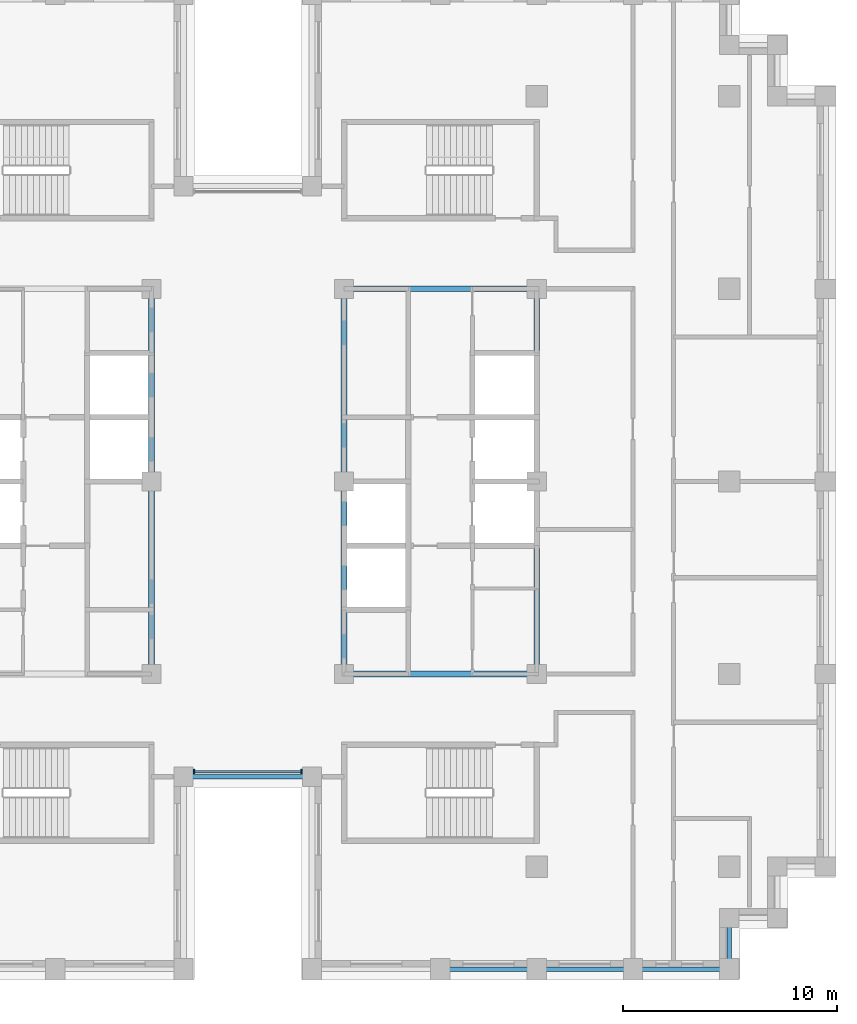
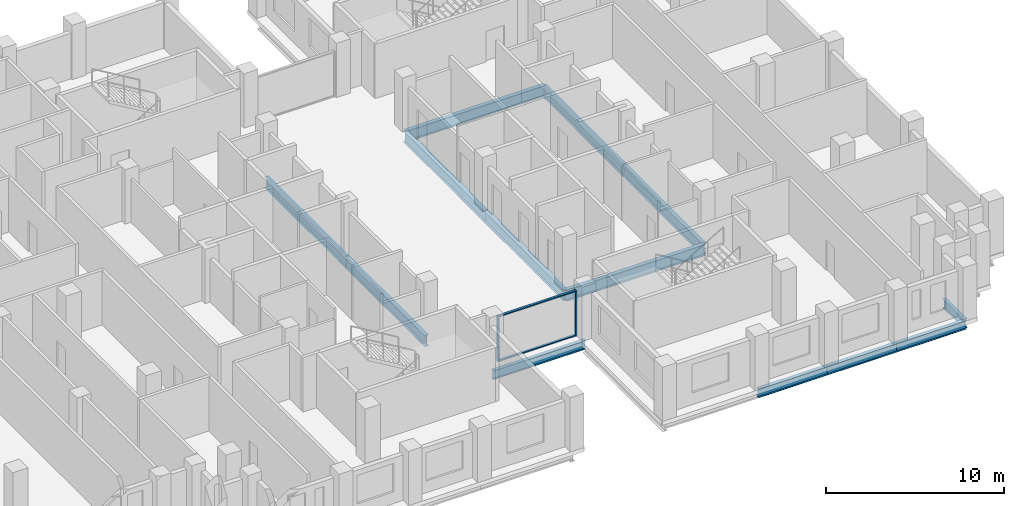
# One storey, part 2 of 15: 13 beams, 4 members, 1 element without a shape of its own.
"""IFC4 building model written with IfcOpenShell, lengths in metres."""

from ifc_helpers import new_model, si_unit, direction, frame, origin, origin_2d, place, context, subcontext, project, spatial, rectangle, i_section, extrude, material, layer, layer_set, material_profile, profile_set, type_object, element, aggregate, save


model = new_model("IFC4")

# Units and contexts
model_context = context("Model", 3, precision=1e-05, world=origin(), true_north=direction((0.0, 1.0)))
body_context = subcontext(model_context, "Body", "Model", "MODEL_VIEW")
ifc_project = project(units=[si_unit("LENGTHUNIT", "METRE"), si_unit("AREAUNIT", "SQUARE_METRE"), si_unit("VOLUMEUNIT", "CUBIC_METRE"), si_unit("PLANEANGLEUNIT", "RADIAN"), si_unit("MASSUNIT", "GRAM", prefix="KILO")], contexts=[model_context])

# Site, building, storey
site_placement = place(None, origin())
site = spatial("IfcSite", under=ifc_project, at=site_placement, CompositionType="ELEMENT")
building_placement = place(site_placement, origin())
building = spatial("IfcBuilding", under=site, at=building_placement, Name="Corbelhall Arena Tower", CompositionType="ELEMENT")
storey_placement = place(building_placement, frame((0.0, 0.0, 200.0)))
storey = spatial("IfcBuildingStorey", under=building, at=storey_placement, Name="L41", CompositionType="ELEMENT", Elevation=200.0)

# Curtain wall, members
ifc_material_1 = material(Name="Aluminium black anodised", Category="aluminium")
ifc_layer = layer(ifc_material_1, 0.199951171875)
ifc_layer_set = layer_set([ifc_layer], Name="EV-CW1 Slot back wall")
curtain_wall_type = type_object("IfcCurtainWallType", Name="EV-CW1 Slot back wall", PredefinedType="NOTDEFINED", material=ifc_layer_set)
curtain_wall_placement = place(storey_placement, origin())
curtain_wall = element("IfcCurtainWall", 1, at=curtain_wall_placement, inside=storey, type_object=curtain_wall_type, Name="Curtain wall CW1", PredefinedType="NOTDEFINED")
ifc_material_profile_1 = material_profile(ifc_material_1, rectangle(XDim=0.199951171875, YDim=0.074951171875, at=origin_2d()))
ifc_profile_set_1 = profile_set([ifc_material_profile_1], Name="Aluminium black anodised")
member_type_1 = type_object("IfcMemberType", Name="EV-CW1-MULLION", PredefinedType="MULLION", material=ifc_profile_set_1)
member_1_placement = place(storey_placement, frame((-2.512451171875, -13.550048828125, 0.0), z_axis=(0.0, 0.0, 1.0), x_axis=(0.0, 1.0, 0.0)))
member_1 = element("IfcMember", 2, at=member_1_placement, type_object=member_type_1, Name="CW1 mullion 1", PredefinedType="MULLION", context=body_context, shape_type="SweptSolid", body=[
    extrude(rectangle(XDim=0.199951171875, YDim=0.074951171875, at=origin_2d()), origin(), (0.0, 0.0, 1.0), 3.1201171875),
])
member_2_placement = place(storey_placement, frame((2.512451171875, -13.550048828125, 0.0), z_axis=(0.0, 0.0, 1.0), x_axis=(0.0, 1.0, 0.0)))
member_2 = element("IfcMember", 3, at=member_2_placement, type_object=member_type_1, Name="CW1 mullion 2", PredefinedType="MULLION", context=body_context, shape_type="SweptSolid", body=[
    extrude(rectangle(XDim=0.199951171875, YDim=0.074951171875, at=origin_2d()), origin(), (0.0, 0.0, 1.0), 3.1201171875),
])
ifc_material_profile_2 = material_profile(ifc_material_1, rectangle(XDim=0.14990234375, YDim=0.074951171875, at=origin_2d()))
ifc_profile_set_2 = profile_set([ifc_material_profile_2], Name="Aluminium black anodised")
member_type_2 = type_object("IfcMemberType", Name="EV-CW1-TRANSOM", PredefinedType="USERDEFINED", material=ifc_profile_set_2)
member_3_placement = place(storey_placement, frame((-2.47509765625, -13.550048828125, 0.03759765625), z_axis=(1.0, 0.0, 0.0), x_axis=(0.0, 1.0, 0.0)))
member_3 = element("IfcMember", 4, at=member_3_placement, type_object=member_type_2, Name="CW1 transom 1.1", ObjectType="transom", PredefinedType="USERDEFINED", context=body_context, shape_type="SweptSolid", body=[
    extrude(rectangle(XDim=0.14990234375, YDim=0.074951171875, at=origin_2d()), origin(), (0.0, 0.0, 1.0), 4.9501953125),
])
member_4_placement = place(storey_placement, frame((-2.47509765625, -13.550048828125, 3.08251953125), z_axis=(1.0, 0.0, 0.0), x_axis=(0.0, 1.0, 0.0)))
member_4 = element("IfcMember", 5, at=member_4_placement, type_object=member_type_2, Name="CW1 transom 1.2", ObjectType="transom", PredefinedType="USERDEFINED", context=body_context, shape_type="SweptSolid", body=[
    extrude(rectangle(XDim=0.14990234375, YDim=0.074951171875, at=origin_2d()), origin(), (0.0, 0.0, 1.0), 4.9501953125),
])
aggregate(curtain_wall, [member_1, member_2, member_3, member_4])

# Beams
ifc_material_2 = material(Name="Steel ASTM A992 Gr50", Category="steel")
ifc_material_profile_3 = material_profile(ifc_material_2, i_section(OverallWidth=0.2666015625, OverallDepth=0.761962890625, WebThickness=0.014404296875, FlangeThickness=0.021484375, at=origin_2d()))
ifc_profile_set_3 = profile_set([ifc_material_profile_3], Name="Steel ASTM A992 Gr50")
beam_type_1 = type_object("IfcBeamType", Name="ST-BEAM-W30x116", PredefinedType="BEAM", material=ifc_profile_set_3)
for number, where, z_axis, x_axis, name in (
    (6, (-4.5, -9.0, -0.660888671875), (0.0, 1.0, 0.0), (-1.0, 0.0, 0.0), "Beam CEW 3"),
    (7, (-4.5, 0.0, -0.660888671875), (0.0, 1.0, 0.0), (-1.0, 0.0, 0.0), "Beam CEW 4"),
    (8, (4.5, -9.0, -0.660888671875), (0.0, 1.0, 0.0), (-1.0, 0.0, 0.0), "Beam CEE 7"),
    (9, (4.5, 0.0, -0.660888671875), (0.0, 1.0, 0.0), (-1.0, 0.0, 0.0), "Beam CEE 8"),
    (10, (13.5, -9.0, -0.660888671875), (0.0, 1.0, 0.0), (-1.0, 0.0, 0.0), "Beam CEE 9"),
    (11, (13.5, 0.0, -0.660888671875), (0.0, 1.0, 0.0), (-1.0, 0.0, 0.0), "Beam CEE 10"),
    (12, (4.5, -9.0, -0.660888671875), (1.0, 0.0, 0.0), (0.0, 1.0, 0.0), "Beam CEE 11"),
    (13, (4.5, 9.0, -0.660888671875), (1.0, 0.0, 0.0), (0.0, 1.0, 0.0), "Beam CEE 12"),
):
    element("IfcBeam", number, at=place(storey_placement, frame(where, z_axis=z_axis, x_axis=x_axis)), inside=storey, type_object=beam_type_1, Name=name, PredefinedType="BEAM", context=body_context, shape_type="SweptSolid", body=[
        extrude(i_section(OverallWidth=0.2666015625, OverallDepth=0.761962890625, WebThickness=0.014404296875, FlangeThickness=0.021484375, at=origin_2d()), origin(), (0.0, 0.0, 1.0), 9.0),
    ])
ifc_material_profile_4 = material_profile(ifc_material_2, i_section(OverallWidth=0.228271484375, OverallDepth=0.607177734375, WebThickness=0.01123046875, FlangeThickness=0.017333984375, at=origin_2d()))
ifc_profile_set_4 = profile_set([ifc_material_profile_4], Name="Steel ASTM A992 Gr50")
beam_type_2 = type_object("IfcBeamType", Name="ST-SPANDREL-W24x76", PredefinedType="SPANDREL", material=ifc_profile_set_4)
for number, where, z_axis, x_axis, name in (
    (14, (13.5, -22.800048828125, -0.58349609375), (-1.0, 0.0, 0.0), (0.0, -1.0, 0.0), "Beam SP 25"),
    (15, (18.0, -22.800048828125, -0.58349609375), (-1.0, 0.0, 0.0), (0.0, -1.0, 0.0), "Beam SP 26"),
    (16, (22.5, -22.800048828125, -0.58349609375), (-1.0, 0.0, 0.0), (0.0, -1.0, 0.0), "Beam SP 27"),
):
    element("IfcBeam", number, at=place(storey_placement, frame(where, z_axis=z_axis, x_axis=x_axis)), inside=storey, type_object=beam_type_2, Name=name, PredefinedType="SPANDREL", context=body_context, shape_type="SweptSolid", body=[
        extrude(i_section(OverallWidth=0.228271484375, OverallDepth=0.607177734375, WebThickness=0.01123046875, FlangeThickness=0.017333984375, at=origin_2d()), origin(), (0.0, 0.0, 1.0), 4.5),
    ])
beam_1_placement = place(storey_placement, frame((3.0, -13.800048828125, -0.58349609375), z_axis=(-1.0, 0.0, 0.0), x_axis=(0.0, -1.0, 0.0)))
element("IfcBeam", 17, at=beam_1_placement, inside=storey, type_object=beam_type_2, Name="Beam SP 37", PredefinedType="SPANDREL", context=body_context, shape_type="SweptSolid", body=[
    extrude(i_section(OverallWidth=0.228271484375, OverallDepth=0.607177734375, WebThickness=0.01123046875, FlangeThickness=0.017333984375, at=origin_2d()), origin(), (0.0, 0.0, 1.0), 6.0),
])
beam_2_placement = place(storey_placement, frame((22.5, -20.39990234375, -0.58349609375), z_axis=(0.0, -1.0, 0.0), x_axis=(1.0, 0.0, 0.0)))
element("IfcBeam", 18, at=beam_2_placement, inside=storey, type_object=beam_type_2, Name="Beam SP 45", PredefinedType="SPANDREL", context=body_context, shape_type="SweptSolid", body=[
    extrude(i_section(OverallWidth=0.228271484375, OverallDepth=0.607177734375, WebThickness=0.01123046875, FlangeThickness=0.017333984375, at=origin_2d()), origin(), (0.0, 0.0, 1.0), 2.400146484375),
])

save(model, "model.ifc")
